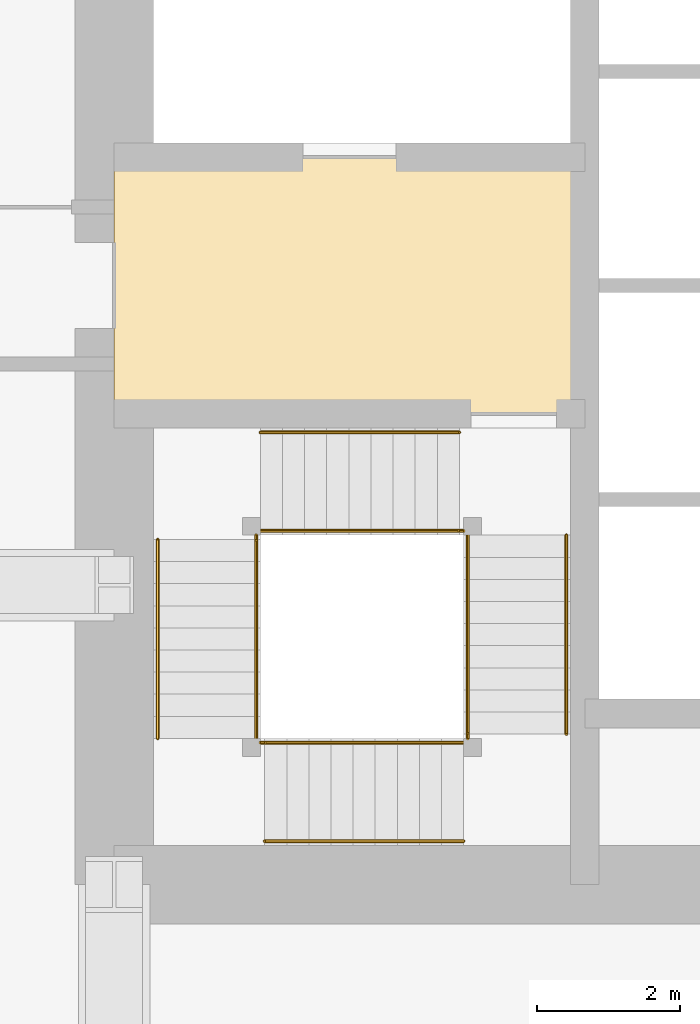
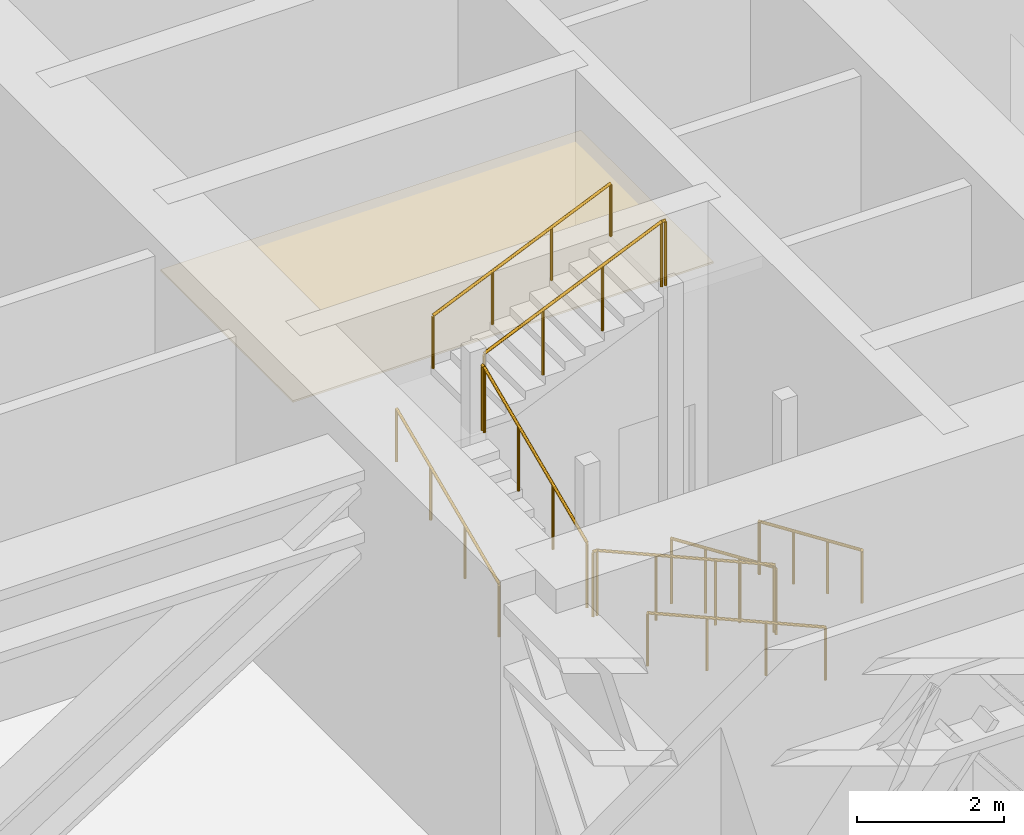
# One storey, part 13 of 16: 12 railings, 1 covering.
"""IFC4 building model written with IfcOpenShell, lengths in metres."""

from ifc_helpers import new_model, si_unit, direction, frame, origin, origin_2d, place, context, subcontext, project, spatial, polyline, circle, outline, extrude, material, layer, layer_set, type_object, element, save


model = new_model("IFC4")

# Units and contexts
model_context = context("Model", 3, precision=1e-05, world=origin(), true_north=direction((0.0, 1.0)))
body_context = subcontext(model_context, "Body", "Model", "MODEL_VIEW")
ifc_project = project(units=[si_unit("LENGTHUNIT", "METRE"), si_unit("AREAUNIT", "SQUARE_METRE"), si_unit("VOLUMEUNIT", "CUBIC_METRE"), si_unit("PLANEANGLEUNIT", "RADIAN"), si_unit("MASSUNIT", "GRAM", prefix="KILO")], contexts=[model_context])

# Site, building, storey
site_placement = place(None, origin())
site = spatial("IfcSite", under=ifc_project, at=site_placement, CompositionType="ELEMENT")
building_placement = place(site_placement, origin())
building = spatial("IfcBuilding", under=site, at=building_placement, Name="Rekha Terrace Tower", CompositionType="ELEMENT")
storey_placement = place(building_placement, frame((0.0, 0.0, 240.199951171875)))
storey = spatial("IfcBuildingStorey", under=building, at=storey_placement, Name="L61", CompositionType="ELEMENT", Elevation=240.199951171875)

# Covering
ifc_material_1 = material(Name="Powder-coated aluminium pan", Category="aluminium")
ifc_layer = layer(ifc_material_1, 0.030029296875)
ifc_layer_set = layer_set([ifc_layer], Name="Powder-coated aluminium pan")
covering_type = type_object("IfcCoveringType", Name="CL3 300x1200 metal pan ceiling", PredefinedType="CEILING", material=ifc_layer_set)
covering_placement = place(storey_placement, frame((0.0, 0.0, 4.170166015625)))
element("IfcCovering", 1, at=covering_placement, inside=storey, type_object=covering_type, Name="Ceiling L61-FLB1", PredefinedType="CEILING", context=body_context, shape_type="SweptSolid", body=[
    extrude(outline(polyline([(31.800048828125, 31.199951171875), (25.199951171875, 31.199951171875), (25.199951171875, 27.60009765625), (31.800048828125, 27.60009765625), (31.800048828125, 31.199951171875)])), origin(), (0.0, 0.0, 1.0), 0.02978515625),
])

# Railings
ifc_material_2 = material(Name="Stainless steel balustrade", Category="steel")
railing_type_1 = type_object("IfcRailingType", Name="GR1 1100 stair guard", PredefinedType="GUARDRAIL", material=ifc_material_2)
railing_1_placement = place(storey_placement, frame((30.159912109375, 25.89990234375, 0.135009765625)))
element("IfcRailing", 2, at=railing_1_placement, inside=storey, type_object=railing_type_1, Name="Guard ST1 L61 flight 1", PredefinedType="GUARDRAIL", context=body_context, shape_type="SweptSolid", body=[
    extrude(circle(Radius=0.02392578125, at=origin_2d()), frame((0.0, 0.0, 1.076171875), z_axis=(0.0, -0.916813480743, 0.399315716606), x_axis=(1.0, 0.0, 0.0)), (0.0, 0.0, 1.0), 3.04296875),
    extrude(circle(Radius=0.02099609375, at=origin_2d()), origin(), (0.0, 0.0, 1.0), 1.052001953125),
    extrude(circle(Radius=0.02099609375, at=origin_2d()), frame((0.0, -0.929931640625, 0.405029296875)), (0.0, 0.0, 1.0), 1.052001953125),
    extrude(circle(Radius=0.02099609375, at=origin_2d()), frame((0.0, -1.85986328125, 0.81005859375)), (0.0, 0.0, 1.0), 1.052001953125),
    extrude(circle(Radius=0.02099609375, at=origin_2d()), frame((0.0, -2.789794921875, 1.215087890625)), (0.0, 0.0, 1.0), 1.052001953125),
])
railing_2_placement = place(storey_placement, frame((30.10009765625, 22.989990234375, 1.485107421875)))
element("IfcRailing", 3, at=railing_2_placement, inside=storey, type_object=railing_type_1, Name="Guard ST1 L61 flight 2", PredefinedType="GUARDRAIL", context=body_context, shape_type="SweptSolid", body=[
    extrude(circle(Radius=0.02392578125, at=origin_2d()), frame((0.0, 0.0, 1.076171875), z_axis=(-0.916855640006, 0.0, 0.399218906604), x_axis=(0.0, -1.0, 0.0)), (0.0, 0.0, 1.0), 3.04296875),
    extrude(circle(Radius=0.02099609375, at=origin_2d()), origin(), (0.0, 0.0, 1.0), 1.052001953125),
    extrude(circle(Radius=0.02099609375, at=origin_2d()), frame((-0.929931640625, 0.0, 0.405029296875)), (0.0, 0.0, 1.0), 1.052001953125),
    extrude(circle(Radius=0.02099609375, at=origin_2d()), frame((-1.860107421875, 0.0, 0.809814453125)), (0.0, 0.0, 1.0), 1.052001953125),
    extrude(circle(Radius=0.02099609375, at=origin_2d()), frame((-2.7900390625, 0.0, 1.21484375)), (0.0, 0.0, 1.0), 1.052001953125),
])
railing_3_placement = place(storey_placement, frame((27.18994140625, 23.050048828125, 2.8349609375)))
element("IfcRailing", 4, at=railing_3_placement, inside=storey, type_object=railing_type_1, Name="Guard ST1 L61 flight 3", PredefinedType="GUARDRAIL", context=body_context, shape_type="SweptSolid", body=[
    extrude(circle(Radius=0.02392578125, at=origin_2d()), frame((0.0, 0.0, 1.076171875), z_axis=(0.0, 0.916826272601, 0.399286345707), x_axis=(-1.0, 0.0, 0.0)), (0.0, 0.0, 1.0), 3.043212890625),
    extrude(circle(Radius=0.02099609375, at=origin_2d()), origin(), (0.0, 0.0, 1.0), 1.052001953125),
    extrude(circle(Radius=0.02099609375, at=origin_2d()), frame((0.0, 0.929931640625, 0.405029296875)), (0.0, 0.0, 1.0), 1.052001953125),
    extrude(circle(Radius=0.02099609375, at=origin_2d()), frame((0.0, 1.860107421875, 0.81005859375)), (0.0, 0.0, 1.0), 1.052001953125),
    extrude(circle(Radius=0.02099609375, at=origin_2d()), frame((0.0, 2.7900390625, 1.215087890625)), (0.0, 0.0, 1.0), 1.052001953125),
])
railing_4_placement = place(storey_placement, frame((27.25, 25.9599609375, 4.18505859375)))
element("IfcRailing", 5, at=railing_4_placement, inside=storey, type_object=railing_type_1, Name="Guard ST1 L61 flight 4", PredefinedType="GUARDRAIL", context=body_context, shape_type="SweptSolid", body=[
    extrude(circle(Radius=0.02392578125, at=origin_2d()), frame((0.0, 0.0, 1.076171875), z_axis=(0.916826272601, 0.0, 0.399286345707), x_axis=(0.0, 1.0, 0.0)), (0.0, 0.0, 1.0), 3.043212890625),
    extrude(circle(Radius=0.02099609375, at=origin_2d()), origin(), (0.0, 0.0, 1.0), 1.052001953125),
    extrude(circle(Radius=0.02099609375, at=origin_2d()), frame((0.929931640625, 0.0, 0.405029296875)), (0.0, 0.0, 1.0), 1.052001953125),
    extrude(circle(Radius=0.02099609375, at=origin_2d()), frame((1.860107421875, 0.0, 0.81005859375)), (0.0, 0.0, 1.0), 1.052001953125),
    extrude(circle(Radius=0.02099609375, at=origin_2d()), frame((2.7900390625, 0.0, 1.215087890625)), (0.0, 0.0, 1.0), 1.052001953125),
])
railing_5_placement = place(storey_placement, frame((30.159912109375, 23.110107421875, 1.35009765625)))
element("IfcRailing", 6, at=railing_5_placement, inside=storey, type_object=railing_type_1, Name="Guard ST1 L61 landing 1", PredefinedType="GUARDRAIL", context=body_context, shape_type="SweptSolid", body=[
    extrude(circle(Radius=0.02392578125, at=origin_2d()), frame((0.0, 0.0, 1.076171875), z_axis=(0.0, -1.0, 0.0), x_axis=(1.0, 0.0, 0.0)), (0.0, 0.0, 1.0), 0.06005859375),
    extrude(circle(Radius=0.02099609375, at=origin_2d()), origin(), (0.0, 0.0, 1.0), 1.052001953125),
    extrude(circle(Radius=0.02099609375, at=origin_2d()), frame((0.0, -0.06005859375, 0.0)), (0.0, 0.0, 1.0), 1.052001953125),
])
railing_6_placement = place(storey_placement, frame((27.31005859375, 22.989990234375, 2.699951171875)))
element("IfcRailing", 7, at=railing_6_placement, inside=storey, type_object=railing_type_1, Name="Guard ST1 L61 landing 2", PredefinedType="GUARDRAIL", context=body_context, shape_type="SweptSolid", body=[
    extrude(circle(Radius=0.02392578125, at=origin_2d()), frame((0.0, 0.0, 1.076171875), z_axis=(-1.0, 0.0, 0.0), x_axis=(0.0, -1.0, 0.0)), (0.0, 0.0, 1.0), 0.06005859375),
    extrude(circle(Radius=0.02099609375, at=origin_2d()), origin(), (0.0, 0.0, 1.0), 1.052001953125),
    extrude(circle(Radius=0.02099609375, at=origin_2d()), frame((-0.06005859375, 0.0, 0.0)), (0.0, 0.0, 1.0), 1.052001953125),
])
railing_7_placement = place(storey_placement, frame((27.18994140625, 25.89990234375, 4.050048828125)))
element("IfcRailing", 8, at=railing_7_placement, inside=storey, type_object=railing_type_1, Name="Guard ST1 L61 landing 3", PredefinedType="GUARDRAIL", context=body_context, shape_type="SweptSolid", body=[
    extrude(circle(Radius=0.02392578125, at=origin_2d()), frame((0.0, 0.0, 1.076171875), z_axis=(0.0, -1.0, 0.0), x_axis=(1.0, 0.0, 0.0)), (0.0, 0.0, 1.0), 0.059814453125),
    extrude(circle(Radius=0.02099609375, at=origin_2d()), origin(), (0.0, 0.0, 1.0), 1.052001953125),
    extrude(circle(Radius=0.02099609375, at=origin_2d()), frame((0.0, -0.059814453125, 0.0)), (0.0, 0.0, 1.0), 1.052001953125),
])
railing_8_placement = place(storey_placement, frame((30.10009765625, 25.9599609375, 5.400146484375)))
element("IfcRailing", 9, at=railing_8_placement, inside=storey, type_object=railing_type_1, Name="Guard ST1 L61 landing 4", PredefinedType="GUARDRAIL", context=body_context, shape_type="SweptSolid", body=[
    extrude(circle(Radius=0.02392578125, at=origin_2d()), frame((0.0, 0.0, 1.076171875), z_axis=(-1.0, 0.0, 0.0), x_axis=(0.0, -1.0, 0.0)), (0.0, 0.0, 1.0), 0.06005859375),
    extrude(circle(Radius=0.02099609375, at=origin_2d()), origin(), (0.0, 0.0, 1.0), 1.052001953125),
    extrude(circle(Radius=0.02099609375, at=origin_2d()), frame((-0.06005859375, 0.0, 0.0)), (0.0, 0.0, 1.0), 1.052001953125),
])
ifc_material_3 = material(Name="Stainless steel tube", Category="steel")
railing_type_2 = type_object("IfcRailingType", Name="HR1 900 stair handrail", PredefinedType="HANDRAIL", material=ifc_material_3)
railing_9_placement = place(storey_placement, frame((31.5400390625, 25.89990234375, 0.135009765625)))
element("IfcRailing", 10, at=railing_9_placement, inside=storey, type_object=railing_type_2, Name="Handrail ST1 L61 flight 1", PredefinedType="HANDRAIL", context=body_context, shape_type="SweptSolid", body=[
    extrude(circle(Radius=0.02392578125, at=origin_2d()), frame((0.0, 0.0, 0.8759765625), z_axis=(0.0, -0.916813480743, 0.399315716606), x_axis=(1.0, 0.0, 0.0)), (0.0, 0.0, 1.0), 3.04296875),
    extrude(circle(Radius=0.02099609375, at=origin_2d()), origin(), (0.0, 0.0, 1.0), 0.851806640625),
    extrude(circle(Radius=0.02099609375, at=origin_2d()), frame((0.0, -0.929931640625, 0.405029296875)), (0.0, 0.0, 1.0), 0.851806640625),
    extrude(circle(Radius=0.02099609375, at=origin_2d()), frame((0.0, -1.85986328125, 0.81005859375)), (0.0, 0.0, 1.0), 0.851806640625),
    extrude(circle(Radius=0.02099609375, at=origin_2d()), frame((0.0, -2.789794921875, 1.215087890625)), (0.0, 0.0, 1.0), 0.851806640625),
])
railing_10_placement = place(storey_placement, frame((30.10009765625, 21.610107421875, 1.485107421875)))
element("IfcRailing", 11, at=railing_10_placement, inside=storey, type_object=railing_type_2, Name="Handrail ST1 L61 flight 2", PredefinedType="HANDRAIL", context=body_context, shape_type="SweptSolid", body=[
    extrude(circle(Radius=0.02392578125, at=origin_2d()), frame((0.0, 0.0, 0.8759765625), z_axis=(-0.916855640006, 0.0, 0.399218906604), x_axis=(0.0, -1.0, 0.0)), (0.0, 0.0, 1.0), 3.04296875),
    extrude(circle(Radius=0.02099609375, at=origin_2d()), origin(), (0.0, 0.0, 1.0), 0.851806640625),
    extrude(circle(Radius=0.02099609375, at=origin_2d()), frame((-0.929931640625, 0.0, 0.405029296875)), (0.0, 0.0, 1.0), 0.851806640625),
    extrude(circle(Radius=0.02099609375, at=origin_2d()), frame((-1.860107421875, 0.0, 0.809814453125)), (0.0, 0.0, 1.0), 0.851806640625),
    extrude(circle(Radius=0.02099609375, at=origin_2d()), frame((-2.7900390625, 0.0, 1.21484375)), (0.0, 0.0, 1.0), 0.851806640625),
])
railing_11_placement = place(storey_placement, frame((25.81005859375, 23.050048828125, 2.8349609375)))
element("IfcRailing", 12, at=railing_11_placement, inside=storey, type_object=railing_type_2, Name="Handrail ST1 L61 flight 3", PredefinedType="HANDRAIL", context=body_context, shape_type="SweptSolid", body=[
    extrude(circle(Radius=0.02392578125, at=origin_2d()), frame((0.0, 0.0, 0.8759765625), z_axis=(0.0, 0.916826272601, 0.399286345707), x_axis=(-1.0, 0.0, 0.0)), (0.0, 0.0, 1.0), 3.043212890625),
    extrude(circle(Radius=0.02099609375, at=origin_2d()), origin(), (0.0, 0.0, 1.0), 0.851806640625),
    extrude(circle(Radius=0.02099609375, at=origin_2d()), frame((0.0, 0.929931640625, 0.405029296875)), (0.0, 0.0, 1.0), 0.851806640625),
    extrude(circle(Radius=0.02099609375, at=origin_2d()), frame((0.0, 1.860107421875, 0.81005859375)), (0.0, 0.0, 1.0), 0.851806640625),
    extrude(circle(Radius=0.02099609375, at=origin_2d()), frame((0.0, 2.7900390625, 1.215087890625)), (0.0, 0.0, 1.0), 0.851806640625),
])
railing_12_placement = place(storey_placement, frame((27.25, 27.340087890625, 4.18505859375)))
element("IfcRailing", 13, at=railing_12_placement, inside=storey, type_object=railing_type_2, Name="Handrail ST1 L61 flight 4", PredefinedType="HANDRAIL", context=body_context, shape_type="SweptSolid", body=[
    extrude(circle(Radius=0.02392578125, at=origin_2d()), frame((0.0, 0.0, 0.8759765625), z_axis=(0.916826272601, 0.0, 0.399286345707), x_axis=(0.0, 1.0, 0.0)), (0.0, 0.0, 1.0), 3.043212890625),
    extrude(circle(Radius=0.02099609375, at=origin_2d()), origin(), (0.0, 0.0, 1.0), 0.851806640625),
    extrude(circle(Radius=0.02099609375, at=origin_2d()), frame((0.929931640625, 0.0, 0.405029296875)), (0.0, 0.0, 1.0), 0.851806640625),
    extrude(circle(Radius=0.02099609375, at=origin_2d()), frame((1.860107421875, 0.0, 0.81005859375)), (0.0, 0.0, 1.0), 0.851806640625),
    extrude(circle(Radius=0.02099609375, at=origin_2d()), frame((2.7900390625, 0.0, 1.215087890625)), (0.0, 0.0, 1.0), 0.851806640625),
])

save(model, "model.ifc")
